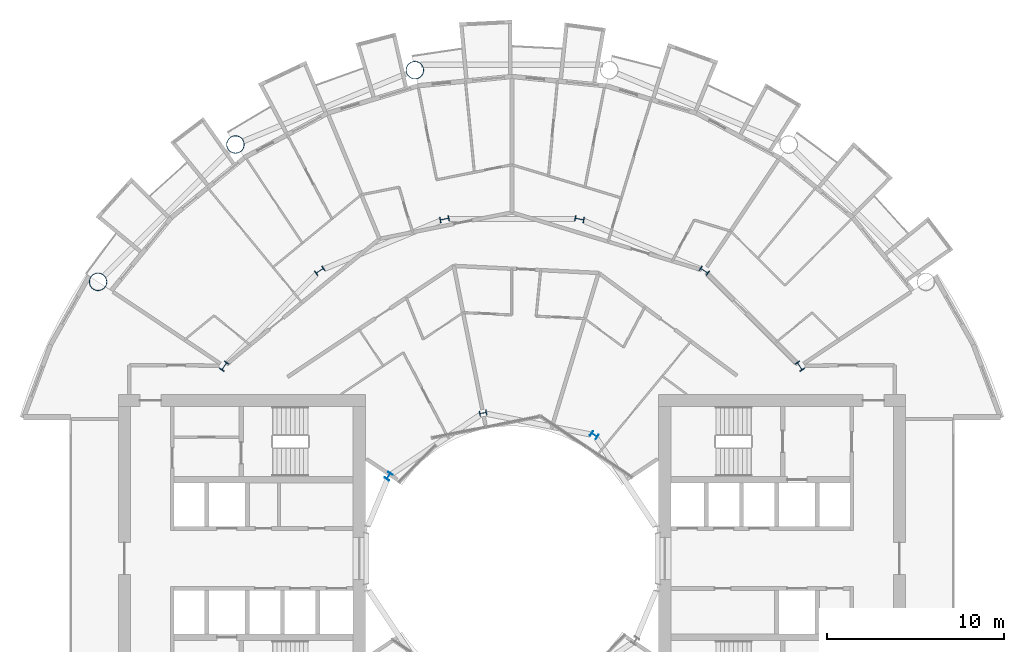
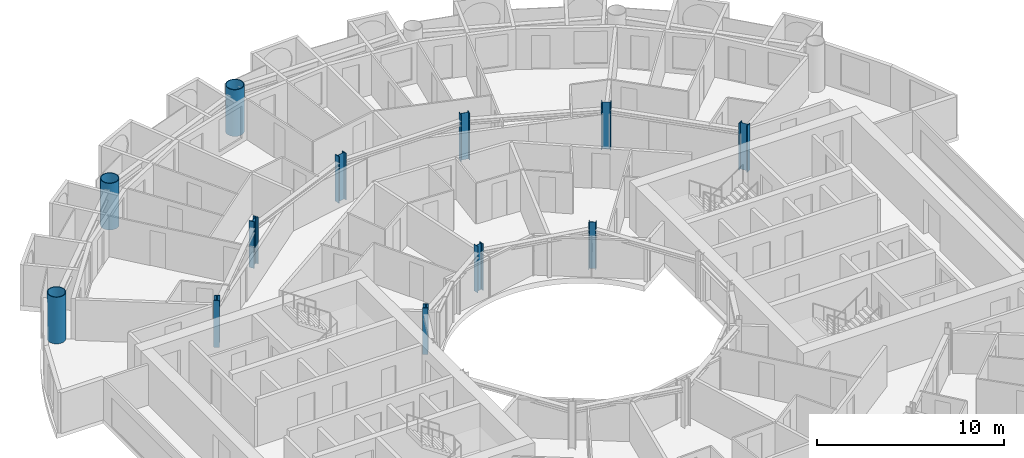
# One storey, part 3 of 25: 12 columns.
"""IFC4 building model written with IfcOpenShell, lengths in metres."""

from ifc_helpers import new_model, si_unit, direction, frame, origin, origin_2d, place, context, subcontext, project, spatial, hollow_circle, i_section, extrude, material, material_profile, profile_set, type_object, element, save


model = new_model("IFC4")

# Units and contexts
model_context = context("Model", 3, precision=1e-05, world=origin(), true_north=direction((0.0, 1.0)))
body_context = subcontext(model_context, "Body", "Model", "MODEL_VIEW")
ifc_project = project(units=[si_unit("LENGTHUNIT", "METRE"), si_unit("AREAUNIT", "SQUARE_METRE"), si_unit("VOLUMEUNIT", "CUBIC_METRE"), si_unit("PLANEANGLEUNIT", "RADIAN"), si_unit("MASSUNIT", "GRAM", prefix="KILO")], contexts=[model_context])

# Site, building, storey
site_placement = place(None, origin())
site = spatial("IfcSite", under=ifc_project, at=site_placement, CompositionType="ELEMENT")
building_placement = place(site_placement, origin())
building = spatial("IfcBuilding", under=site, at=building_placement, Name="Maasbend Ring Residences", CompositionType="ELEMENT")
storey_placement = place(building_placement, frame((0.0, 0.0, 94.10009765625)))
storey = spatial("IfcBuildingStorey", under=building, at=storey_placement, Name="L27", CompositionType="ELEMENT", Elevation=94.10009765625)

# Columns
ifc_material_1 = material(Name="Composite concrete-filled steel tube S460NH / C80/95", Category="concrete")
ifc_material_profile_1 = material_profile(ifc_material_1, hollow_circle(Radius=0.508056640625, WallThickness=0.0400390625, at=origin_2d()), Name="Composite tube column CHS 1016x40")
ifc_profile_set_1 = profile_set([ifc_material_profile_1], Name="Composite concrete-filled steel tube S460NH / C80/95")
column_type_1 = type_object("IfcColumnType", Name="Composite tube column CHS 1016x40", PredefinedType="COLUMN", material=ifc_profile_set_1)
for number, where, z_axis, x_axis, name in (
    (1, (-5.50146484375, 27.658203125, 0.0), (0.0, 0.0, 1.0), (1.0, 0.0, 0.0), "Outer column R5"),
    (2, (-15.6669921875, 23.447509765625, 0.0), (0.0, 0.0, 1.0), (1.0, 0.0, 0.0), "Outer column R6"),
    (3, (-23.447509765625, 15.6669921875, 0.0), (0.0, 0.0, 1.0), (1.0, 0.0, 0.0), "Outer column R7"),
):
    element("IfcColumn", number, at=place(storey_placement, frame(where, z_axis=z_axis, x_axis=x_axis)), inside=storey, type_object=column_type_1, Name=name, PredefinedType="COLUMN", context=body_context, shape_type="SweptSolid", body=[
        extrude(hollow_circle(Radius=0.508056640625, WallThickness=0.0400390625, at=origin_2d()), origin(), (0.0, 0.0, 1.0), 3.0498046875),
    ])
ifc_material_2 = material(Name="Steel S355J2", Category="steel")
ifc_material_profile_2 = material_profile(ifc_material_2, i_section(OverallWidth=0.300048828125, OverallDepth=0.39990234375, WebThickness=0.013427734375, FlangeThickness=0.02392578125, FilletRadius=0.027099609375, at=origin_2d()), Name="HEB 400")
ifc_profile_set_2 = profile_set([ifc_material_profile_2], Name="Steel S355J2")
column_type_2 = type_object("IfcColumnType", Name="Steel column HEB 400", PredefinedType="COLUMN", material=ifc_profile_set_2)
for number, where, z_axis, x_axis, name in (
    (4, (4.666748046875, 6.984375, 0.0), (0.0, 0.0, 1.0), (0.55557023302, 0.831469612303, 0.0), "Well ring column R3"),
    (5, (-1.638916015625, 8.238525390625, 0.0), (0.0, 0.0, 1.0), (-0.195090322016, 0.980785280403, 0.0), "Well ring column R5"),
    (6, (-6.984375, 4.666748046875, 0.0), (0.0, 0.0, 1.0), (-0.831469612303, 0.55557023302, 0.0), "Well ring column R7"),
):
    element("IfcColumn", number, at=place(storey_placement, frame(where, z_axis=z_axis, x_axis=x_axis)), inside=storey, type_object=column_type_2, Name=name, PredefinedType="COLUMN", context=body_context, shape_type="SweptSolid", body=[
        extrude(i_section(OverallWidth=0.300048828125, OverallDepth=0.39990234375, WebThickness=0.013427734375, FlangeThickness=0.02392578125, FilletRadius=0.027099609375, at=origin_2d()), origin(), (0.0, 0.0, 1.0), 3.0498046875),
    ])
ifc_material_3 = material(Name="Steel S460M", Category="steel")
ifc_material_profile_3 = material_profile(ifc_material_3, i_section(OverallWidth=0.305908203125, OverallDepth=0.52392578125, WebThickness=0.02099609375, FlangeThickness=0.0400390625, FilletRadius=0.027099609375, at=origin_2d()), Name="HEM 500")
ifc_profile_set_3 = profile_set([ifc_material_profile_3], Name="Steel S460M")
column_type_3 = type_object("IfcColumnType", Name="Steel column HEM 500", PredefinedType="COLUMN", material=ifc_profile_set_3)
for number, where, z_axis, x_axis, name in (
    (7, (16.296875, 10.88916015625, 0.0), (0.0, 0.0, 1.0), (0.831469612303, 0.55557023302, 0.0), "Corridor ring column R2"),
    (8, (10.88916015625, 16.296875, 0.0), (0.0, 0.0, 1.0), (0.55557023302, 0.831469612303, 0.0), "Corridor ring column R3"),
    (9, (3.82373046875, 19.223388671875, 0.0), (0.0, 0.0, 1.0), (0.195090322016, 0.980785280403, 0.0), "Corridor ring column R4"),
    (10, (-3.82373046875, 19.223388671875, 0.0), (0.0, 0.0, 1.0), (-0.195090322016, 0.980785280403, 0.0), "Corridor ring column R5"),
    (11, (-10.88916015625, 16.296875, 0.0), (0.0, 0.0, 1.0), (-0.55557023302, 0.831469612303, 0.0), "Corridor ring column R6"),
    (12, (-16.296875, 10.88916015625, 0.0), (0.0, 0.0, 1.0), (-0.831469612303, 0.55557023302, 0.0), "Corridor ring column R7"),
):
    element("IfcColumn", number, at=place(storey_placement, frame(where, z_axis=z_axis, x_axis=x_axis)), inside=storey, type_object=column_type_3, Name=name, PredefinedType="COLUMN", context=body_context, shape_type="SweptSolid", body=[
        extrude(i_section(OverallWidth=0.305908203125, OverallDepth=0.52392578125, WebThickness=0.02099609375, FlangeThickness=0.0400390625, FilletRadius=0.027099609375, at=origin_2d()), origin(), (0.0, 0.0, 1.0), 3.0498046875),
    ])

save(model, "model.ifc")
